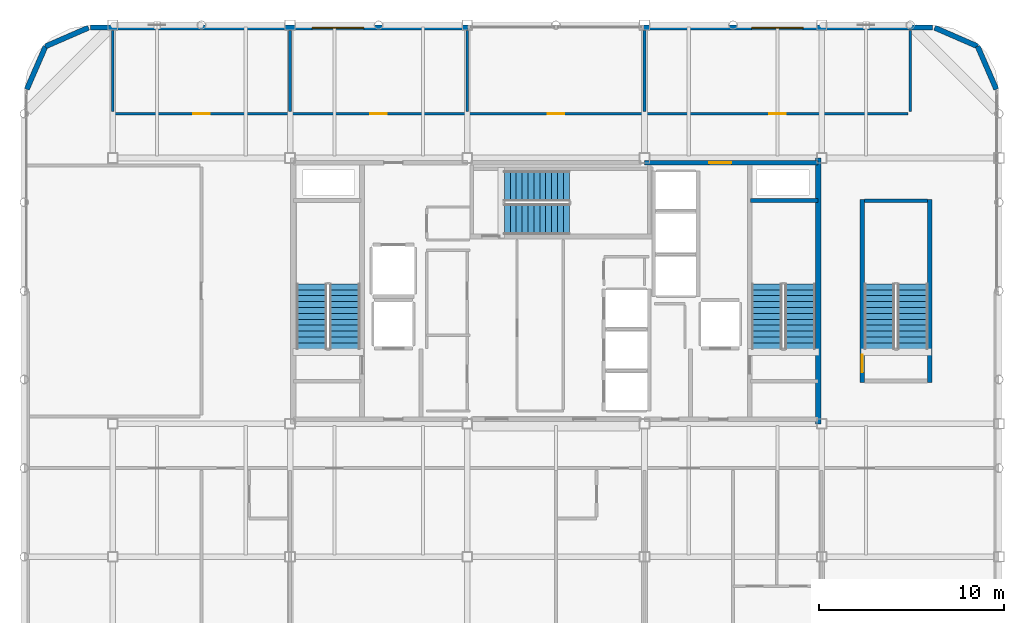
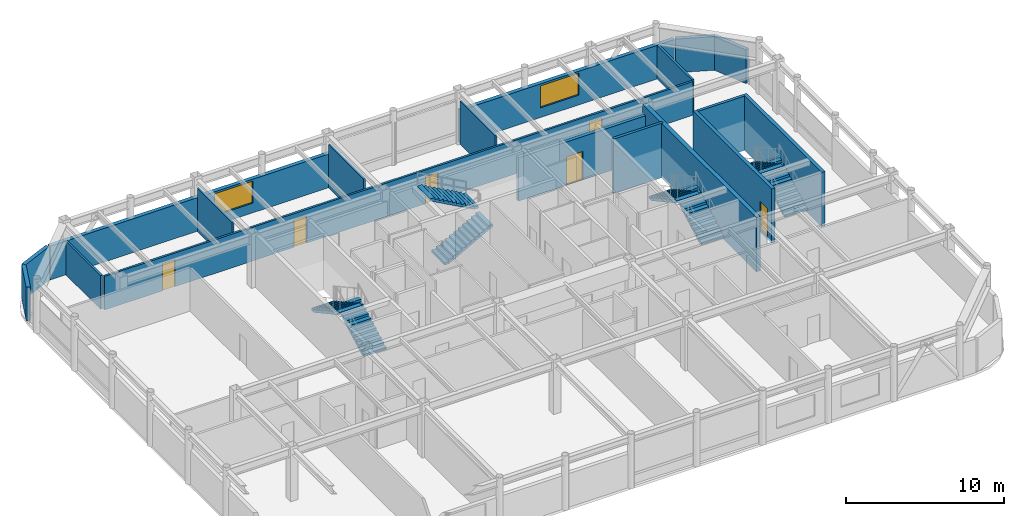
# One storey, part 19 of 21: 18 walls, 8 stair flights, 6 doors, 2 windows, 8 openings, 4 elements without a shape of their own.
"""IFC4 building model written with IfcOpenShell, lengths in metres."""

from ifc_helpers import new_model, si_unit, direction, frame, frame_2d, origin, place, context, subcontext, project, spatial, polyline, rectangle, outline, extrude, material, layer, layer_set, type_object, element, fill, aggregate, save


model = new_model("IFC4")

# Units and contexts
model_context = context("Model", 3, precision=1e-05, world=origin(), true_north=direction((0.0, 1.0)))
body_context = subcontext(model_context, "Body", "Model", "MODEL_VIEW")
ifc_project = project(units=[si_unit("LENGTHUNIT", "METRE"), si_unit("AREAUNIT", "SQUARE_METRE"), si_unit("VOLUMEUNIT", "CUBIC_METRE"), si_unit("PLANEANGLEUNIT", "RADIAN"), si_unit("MASSUNIT", "GRAM", prefix="KILO")], contexts=[model_context])

# Site, building, storey
site_placement = place(None, origin())
site = spatial("IfcSite", under=ifc_project, at=site_placement, CompositionType="ELEMENT")
building_placement = place(site_placement, origin())
building = spatial("IfcBuilding", under=site, at=building_placement, Name="Kallvorn Hotel Tower", CompositionType="ELEMENT")
storey_placement = place(building_placement, frame((0.0, 0.0, 286.39990234375)))
storey = spatial("IfcBuildingStorey", under=building, at=storey_placement, Name="L71", CompositionType="ELEMENT", Elevation=286.39990234375)

# Walls
ifc_material_1 = material(Name="Concrete C50/60", Category="concrete")
ifc_layer_1 = layer(ifc_material_1, 0.300048828125)
ifc_layer_set_1 = layer_set([ifc_layer_1], Name="WL_CORE_300")
wall_type_1 = type_object("IfcWallType", Name="WL_CORE_300", PredefinedType="SHEAR", material=ifc_layer_set_1)
wall_1_placement = place(storey_placement, frame((14.215087890625, -7.199951171875, -0.199951171875), z_axis=(0.0, 0.0, 1.0), x_axis=(0.0, 1.0, 0.0)))
element("IfcWall", 1, at=wall_1_placement, inside=storey, type_object=wall_type_1, Name="L71 Core East Shear Wall", PredefinedType="SHEAR", context=body_context, shape_type="SweptSolid", body=[
    extrude(rectangle(XDim=14.39990234375, YDim=0.300048828125, at=frame_2d((7.199951171875, 0.0))), origin(), (0.0, 0.0, 1.0), 4.199951171875),
])
ifc_material_2 = material(Name="Precast basalt-clad insulated concrete wall C40/50", Category="masonry")
ifc_layer_2 = layer(ifc_material_2, 0.280029296875)
ifc_layer_set_2 = layer_set([ifc_layer_2], Name="WL_EXT_LOGGIA_280")
wall_type_2 = type_object("IfcWallType", Name="WL_EXT_LOGGIA_280", PredefinedType="SOLIDWALL", material=ifc_layer_set_2)
for number, where, z_axis, x_axis, name in (
    (2, (23.85791015625, 10.9208984375, 0.0), (0.0, 0.0, 1.0), (-0.398747232384, 0.917060872934, 0.0), "L71 Rounded Corner Exterior Wall NE1"),
    (3, (22.8466796875, 13.24658203125, 0.0), (0.0, 0.0, 1.0), (-0.917076177656, 0.398712031894, 0.0), "L71 Rounded Corner Exterior Wall NE2"),
    (4, (-25.32080078125, 14.2578125, 0.0), (0.0, 0.0, 1.0), (-0.917060872934, -0.398747232384, 0.0), "L71 Rounded Corner Exterior Wall NW1"),
    (5, (-27.646484375, 13.24658203125, 0.0), (0.0, 0.0, 1.0), (-0.398828190223, -0.917025667407, 0.0), "L71 Rounded Corner Exterior Wall NW2"),
):
    element("IfcWall", number, at=place(storey_placement, frame(where, z_axis=z_axis, x_axis=x_axis)), inside=storey, type_object=wall_type_2, Name=name, PredefinedType="SOLIDWALL", context=body_context, shape_type="SweptSolid", body=[
        extrude(rectangle(XDim=2.5361328125, YDim=0.280029296875, at=frame_2d((1.26806640625, 0.0))), origin(), (0.0, 0.0, 1.0), 2.60009765625),
    ])

# Wall, opening, window
wall_2_placement = place(storey_placement, frame((-25.199951171875, 14.260009765625, 0.0), z_axis=(0.0, 0.0, 1.0), x_axis=(1.0, 0.0, 0.0)))
wall_2 = element("IfcWall", 6, at=wall_2_placement, inside=storey, type_object=wall_type_2, Name="L71 Exterior Envelope Wall EW-L71-NW", PredefinedType="SOLIDWALL", context=body_context, shape_type="SweptSolid", body=[
    extrude(rectangle(XDim=20.449951171875, YDim=0.280029296875, at=frame_2d((10.22509765625, 0.0))), origin(), (0.0, 0.0, 1.0), 2.60009765625),
])
opening_1_placement = place(wall_2_placement, frame((12.0, 0.0, 0.75)))
opening_1 = element("IfcOpeningElement", 7, at=opening_1_placement, cuts=wall_2, Name="Opening W08A", PredefinedType="OPENING", context=body_context, shape_type="SweptSolid", body=[
    extrude(rectangle(XDim=2.800048828125, YDim=1.699951171875, at=frame_2d((1.39990234375, 0.85009765625))), frame((0.0, 0.155029296875, 0.0), z_axis=(0.0, -1.0, 0.0), x_axis=(1.0, 0.0, 0.0)), (0.0, 0.0, 1.0), 0.31005859375),
])
ifc_material_3 = material(Name="Triple-glazed low-e acoustic solar-control dark glass", Category="glass")
window_type = type_object("IfcWindowType", Name="WN_SUM_2800x1700", PartitioningType="SINGLE_PANEL", PredefinedType="WINDOW", material=ifc_material_3)
window_1_placement = place(opening_1_placement, origin())
window_1 = element("IfcWindow", 8, at=window_1_placement, inside=storey, type_object=window_type, Name="L71 Guestroom Exterior Window 04", OverallHeight=1.699951171875, OverallWidth=2.800048828125, PartitioningType="SINGLE_PANEL", PredefinedType="WINDOW", context=body_context, shape_type="SweptSolid", body=[
    extrude(rectangle(XDim=2.800048828125, YDim=1.699951171875, at=frame_2d((1.39990234375, 0.85009765625))), frame((0.0, 0.030029296875, 0.0), z_axis=(0.0, -1.0, 0.0), x_axis=(1.0, 0.0, 0.0)), (0.0, 0.0, 1.0), 0.06005859375),
])
fill(opening_1, window_1)

wall_3_placement = place(storey_placement, frame((4.75, 14.260009765625, 0.0), z_axis=(0.0, 0.0, 1.0), x_axis=(1.0, 0.0, 0.0)))
wall_3 = element("IfcWall", 9, at=wall_3_placement, inside=storey, type_object=wall_type_2, Name="L71 Exterior Envelope Wall EW-L71-NE", PredefinedType="SOLIDWALL", context=body_context, shape_type="SweptSolid", body=[
    extrude(rectangle(XDim=15.64990234375, YDim=0.280029296875, at=frame_2d((7.824951171875, 0.0))), origin(), (0.0, 0.0, 1.0), 2.60009765625),
])
opening_2_placement = place(wall_3_placement, frame((5.85009765625, 0.0, 0.75)))
opening_2 = element("IfcOpeningElement", 10, at=opening_2_placement, cuts=wall_3, Name="Opening W08A", PredefinedType="OPENING", context=body_context, shape_type="SweptSolid", body=[
    extrude(rectangle(XDim=2.800048828125, YDim=1.699951171875, at=frame_2d((1.39990234375, 0.85009765625))), frame((0.0, 0.155029296875, 0.0), z_axis=(0.0, -1.0, 0.0), x_axis=(1.0, 0.0, 0.0)), (0.0, 0.0, 1.0), 0.31005859375),
])
window_2_placement = place(opening_2_placement, origin())
window_2 = element("IfcWindow", 11, at=window_2_placement, inside=storey, type_object=window_type, Name="L71 Guestroom Exterior Window 05", OverallHeight=1.699951171875, OverallWidth=2.800048828125, PartitioningType="SINGLE_PANEL", PredefinedType="WINDOW", context=body_context, shape_type="SweptSolid", body=[
    extrude(rectangle(XDim=2.800048828125, YDim=1.699951171875, at=frame_2d((1.39990234375, 0.85009765625))), frame((0.0, 0.030029296875, 0.0), z_axis=(0.0, -1.0, 0.0), x_axis=(1.0, 0.0, 0.0)), (0.0, 0.0, 1.0), 0.06005859375),
])
fill(opening_2, window_2)

# Walls
ifc_material_4 = material(Name="Concrete C40/50", Category="concrete")
ifc_layer_3 = layer(ifc_material_4, 0.199951171875)
ifc_layer_set_3 = layer_set([ifc_layer_3], Name="WL_HOIST_200")
wall_type_3 = type_object("IfcWallType", Name="WL_HOIST_200", PredefinedType="SOLIDWALL", material=ifc_layer_set_3)
wall_4_placement = place(storey_placement, frame((10.550048828125, 4.89990234375, -0.199951171875), z_axis=(0.0, 0.0, 1.0), x_axis=(1.0, 0.0, 0.0)))
element("IfcWall", 12, at=wall_4_placement, inside=storey, type_object=wall_type_3, Name="L71 Stair ST2 North Wall", PredefinedType="SOLIDWALL", context=body_context, shape_type="SweptSolid", body=[
    extrude(rectangle(XDim=3.64990234375, YDim=0.199951171875, at=frame_2d((1.824951171875, 0.0))), origin(), (0.0, 0.0, 1.0), 4.199951171875),
])
wall_5_placement = place(storey_placement, frame((16.72998046875, 4.8798828125, -0.199951171875), z_axis=(0.0, 0.0, 1.0), x_axis=(1.0, 0.0, 0.0)))
element("IfcWall", 13, at=wall_5_placement, inside=storey, type_object=wall_type_3, Name="L71 Summit Exit Stair ST4 North Wall", PredefinedType="SOLIDWALL", context=body_context, shape_type="SweptSolid", body=[
    extrude(rectangle(XDim=3.39990234375, YDim=0.199951171875, at=frame_2d((1.699951171875, 0.0))), origin(), (0.0, 0.0, 1.0), 4.199951171875),
])

# Wall, openings, doors
ifc_material_5 = material(Name="Fire-rated double-layer acoustic gypsum drywall EI 60")
ifc_layer_4 = layer(ifc_material_5, 0.14990234375)
ifc_layer_set_4 = layer_set([ifc_layer_4], Name="WL_PART_150")
wall_type_4 = type_object("IfcWallType", Name="WL_PART_150", PredefinedType="PARTITIONING", material=ifc_layer_set_4)
wall_6_placement = place(storey_placement, frame((-23.8798828125, 9.60009765625, 0.0), z_axis=(0.0, 0.0, 1.0), x_axis=(1.0, 0.0, 0.0)))
wall_6 = element("IfcWall", 14, at=wall_6_placement, inside=storey, type_object=wall_type_4, Name="L71 Summit Housekeeping and Linen Room Partition", PredefinedType="PARTITIONING", context=body_context, shape_type="SweptSolid", body=[
    extrude(rectangle(XDim=42.9599609375, YDim=0.14990234375, at=frame_2d((21.47998046875, 0.0))), origin(), (0.0, 0.0, 1.0), 2.60009765625),
])
opening_3_placement = place(wall_6_placement, frame((4.22998046875, 0.0, 0.0)))
opening_3 = element("IfcOpeningElement", 15, at=opening_3_placement, cuts=wall_6, Name="Opening SVD1", PredefinedType="OPENING", context=body_context, shape_type="SweptSolid", body=[
    extrude(rectangle(XDim=0.89990234375, YDim=2.10009765625, at=frame_2d((0.449951171875, 1.050048828125))), frame((0.0, 0.08984375, 0.0), z_axis=(0.0, -1.0, 0.0), x_axis=(1.0, 0.0, 0.0)), (0.0, 0.0, 1.0), 0.179931640625),
])
opening_4_placement = place(wall_6_placement, frame((13.830078125, 0.0, 0.0)))
opening_4 = element("IfcOpeningElement", 16, at=opening_4_placement, cuts=wall_6, Name="Opening SVD1", PredefinedType="OPENING", context=body_context, shape_type="SweptSolid", body=[
    extrude(rectangle(XDim=0.89990234375, YDim=2.10009765625, at=frame_2d((0.449951171875, 1.050048828125))), frame((0.0, 0.08984375, 0.0), z_axis=(0.0, -1.0, 0.0), x_axis=(1.0, 0.0, 0.0)), (0.0, 0.0, 1.0), 0.179931640625),
])
opening_5_placement = place(wall_6_placement, frame((23.429931640625, 0.0, 0.0)))
opening_5 = element("IfcOpeningElement", 17, at=opening_5_placement, cuts=wall_6, Name="Opening SVD1", PredefinedType="OPENING", context=body_context, shape_type="SweptSolid", body=[
    extrude(rectangle(XDim=0.89990234375, YDim=2.10009765625, at=frame_2d((0.449951171875, 1.050048828125))), frame((0.0, 0.08984375, 0.0), z_axis=(0.0, -1.0, 0.0), x_axis=(1.0, 0.0, 0.0)), (0.0, 0.0, 1.0), 0.179931640625),
])
opening_6_placement = place(wall_6_placement, frame((35.429931640625, 0.0, 0.0)))
opening_6 = element("IfcOpeningElement", 18, at=opening_6_placement, cuts=wall_6, Name="Opening SVD1", PredefinedType="OPENING", context=body_context, shape_type="SweptSolid", body=[
    extrude(rectangle(XDim=0.89990234375, YDim=2.10009765625, at=frame_2d((0.449951171875, 1.050048828125))), frame((0.0, 0.08984375, 0.0), z_axis=(0.0, -1.0, 0.0), x_axis=(1.0, 0.0, 0.0)), (0.0, 0.0, 1.0), 0.179931640625),
])
ifc_material_6 = material(Name="Galvanised painted steel fire-rated door assembly", Category="steel")
door_type_1 = type_object("IfcDoorType", Name="DR_SERV_900x2100", OperationType="NOTDEFINED", PredefinedType="DOOR", material=ifc_material_6)
door_1_placement = place(opening_3_placement, origin())
door_1 = element("IfcDoor", 19, at=door_1_placement, inside=storey, type_object=door_type_1, Name="L71 Summit Housekeeping and Linen Room Door", OperationType="SINGLE_SWING_RIGHT", OverallHeight=2.10009765625, OverallWidth=0.89990234375, PredefinedType="DOOR", context=body_context, shape_type="SweptSolid", body=[
    extrude(rectangle(XDim=0.89990234375, YDim=2.10009765625, at=frame_2d((0.449951171875, 1.050048828125))), frame((0.0, 0.02490234375, 0.0), z_axis=(0.0, -1.0, 0.0), x_axis=(1.0, 0.0, 0.0)), (0.0, 0.0, 1.0), 0.050048828125),
])
fill(opening_3, door_1)
door_2_placement = place(opening_4_placement, origin())
door_2 = element("IfcDoor", 20, at=door_2_placement, inside=storey, type_object=door_type_1, Name="L71 Summit Cabinet Boardroom Door", OperationType="SINGLE_SWING_LEFT", OverallHeight=2.10009765625, OverallWidth=0.89990234375, PredefinedType="DOOR", context=body_context, shape_type="SweptSolid", body=[
    extrude(rectangle(XDim=0.89990234375, YDim=2.10009765625, at=frame_2d((0.449951171875, 1.050048828125))), frame((0.0, 0.02490234375, 0.0), z_axis=(0.0, -1.0, 0.0), x_axis=(1.0, 0.0, 0.0)), (0.0, 0.0, 1.0), 0.050048828125),
])
fill(opening_4, door_2)
door_3_placement = place(opening_5_placement, origin())
door_3 = element("IfcDoor", 21, at=door_3_placement, inside=storey, type_object=door_type_1, Name="L71 Summit Executive Co-Working Office Door", OperationType="SINGLE_SWING_LEFT", OverallHeight=2.10009765625, OverallWidth=0.89990234375, PredefinedType="DOOR", context=body_context, shape_type="SweptSolid", body=[
    extrude(rectangle(XDim=0.89990234375, YDim=2.10009765625, at=frame_2d((0.449951171875, 1.050048828125))), frame((0.0, 0.02490234375, 0.0), z_axis=(0.0, -1.0, 0.0), x_axis=(1.0, 0.0, 0.0)), (0.0, 0.0, 1.0), 0.050048828125),
])
fill(opening_5, door_3)
door_4_placement = place(opening_6_placement, origin())
door_4 = element("IfcDoor", 22, at=door_4_placement, inside=storey, type_object=door_type_1, Name="L71 Summit Collectors Art Gallery Door", OperationType="SINGLE_SWING_LEFT", OverallHeight=2.10009765625, OverallWidth=0.89990234375, PredefinedType="DOOR", context=body_context, shape_type="SweptSolid", body=[
    extrude(rectangle(XDim=0.89990234375, YDim=2.10009765625, at=frame_2d((0.449951171875, 1.050048828125))), frame((0.0, 0.02490234375, 0.0), z_axis=(0.0, -1.0, 0.0), x_axis=(1.0, 0.0, 0.0)), (0.0, 0.0, 1.0), 0.050048828125),
])
fill(opening_6, door_4)

# Walls
wall_7_placement = place(storey_placement, frame((-24.0, 9.719970703125, 0.0), z_axis=(0.0, 0.0, 1.0), x_axis=(0.0, 1.0, 0.0)))
element("IfcWall", 23, at=wall_7_placement, inside=storey, type_object=wall_type_4, Name="L71 Summit Housekeeping and Linen Room Partition", PredefinedType="PARTITIONING", context=body_context, shape_type="SweptSolid", body=[
    extrude(rectangle(XDim=4.39013671875, YDim=0.14990234375, at=frame_2d((2.195068359375, 0.0))), origin(), (0.0, 0.0, 1.0), 2.60009765625),
])
for number, where, z_axis, x_axis, name in (
    (24, (-14.39990234375, 9.719970703125, 0.0), (0.0, 0.0, 1.0), (0.0, 1.0, 0.0), "L71 Summit Cabinet Boardroom Partition"),
    (25, (-4.800048828125, 9.719970703125, 0.0), (0.0, 0.0, 1.0), (0.0, 1.0, 0.0), "L71 Summit Cabinet Boardroom Partition"),
    (26, (4.800048828125, 9.719970703125, 0.0), (0.0, 0.0, 1.0), (0.0, 1.0, 0.0), "L71 Summit Collectors Art Gallery Partition"),
):
    element("IfcWall", number, at=place(storey_placement, frame(where, z_axis=z_axis, x_axis=x_axis)), inside=storey, type_object=wall_type_4, Name=name, PredefinedType="PARTITIONING", context=body_context, shape_type="SweptSolid", body=[
        extrude(rectangle(XDim=4.39013671875, YDim=0.14990234375, at=frame_2d((2.195068359375, 0.0))), origin(), (0.0, 0.0, 1.0), 3.35009765625),
    ])
wall_8_placement = place(storey_placement, frame((19.199951171875, 9.719970703125, 0.0), z_axis=(0.0, 0.0, 1.0), x_axis=(0.0, 1.0, 0.0)))
element("IfcWall", 27, at=wall_8_placement, inside=storey, type_object=wall_type_4, Name="L71 Summit Collectors Art Gallery Partition", PredefinedType="PARTITIONING", context=body_context, shape_type="SweptSolid", body=[
    extrude(rectangle(XDim=4.39013671875, YDim=0.14990234375, at=frame_2d((2.195068359375, 0.0))), origin(), (0.0, 0.0, 1.0), 2.60009765625),
])

# Wall, opening, door
ifc_material_7 = material(Name="Concrete C40/50", Category="concrete")
ifc_layer_5 = layer(ifc_material_7, 0.25)
ifc_layer_set_5 = layer_set([ifc_layer_5], Name="WL_SHAFT_250")
wall_type_5 = type_object("IfcWallType", Name="WL_SHAFT_250", PredefinedType="SOLIDWALL", material=ifc_layer_set_5)
wall_9_placement = place(storey_placement, frame((4.800048828125, 6.949951171875, 0.0), z_axis=(0.0, 0.0, 1.0), x_axis=(1.0, 0.0, 0.0)))
wall_9 = element("IfcWall", 28, at=wall_9_placement, inside=storey, type_object=wall_type_5, Name="L71 Core North-East Wall", PredefinedType="SOLIDWALL", context=body_context, shape_type="SweptSolid", body=[
    extrude(rectangle(XDim=9.39990234375, YDim=0.25, at=frame_2d((4.699951171875, 0.0))), origin(), (0.0, 0.0, 1.0), 3.35009765625),
])
opening_7_placement = place(wall_9_placement, frame((3.5, 0.0, 0.0)))
opening_7 = element("IfcOpeningElement", 29, at=opening_7_placement, cuts=wall_9, Name="Opening FD2", PredefinedType="OPENING", context=body_context, shape_type="SweptSolid", body=[
    extrude(rectangle(XDim=1.199951171875, YDim=2.199951171875, at=frame_2d((0.60009765625, 1.10009765625))), frame((0.0, 0.139892578125, 0.0), z_axis=(0.0, -1.0, 0.0), x_axis=(1.0, 0.0, 0.0)), (0.0, 0.0, 1.0), 0.280029296875),
])
ifc_material_8 = material(Name="Galvanised painted steel fire-rated door assembly", Category="steel")
door_type_2 = type_object("IfcDoorType", Name="DR_LOBBY_1200x2200", OperationType="DOUBLE_DOOR_SINGLE_SWING", PredefinedType="DOOR", material=ifc_material_8)
door_5_placement = place(opening_7_placement, origin())
door_5 = element("IfcDoor", 30, at=door_5_placement, inside=storey, type_object=door_type_2, Name="L71 Observatory Shuttle Lobby Door", OperationType="DOUBLE_DOOR_SINGLE_SWING", OverallHeight=2.199951171875, OverallWidth=1.199951171875, PredefinedType="DOOR", context=body_context, shape_type="SweptSolid", body=[
    extrude(rectangle(XDim=1.199951171875, YDim=2.199951171875, at=frame_2d((0.60009765625, 1.10009765625))), frame((0.0, 0.02490234375, 0.0), z_axis=(0.0, -1.0, 0.0), x_axis=(1.0, 0.0, 0.0)), (0.0, 0.0, 1.0), 0.050048828125),
])
fill(opening_7, door_5)

# Wall
wall_10_placement = place(storey_placement, frame((20.260009765625, -4.9599609375, -0.199951171875), z_axis=(0.0, 0.0, 1.0), x_axis=(0.0, 1.0, 0.0)))
element("IfcWall", 31, at=wall_10_placement, inside=storey, type_object=wall_type_5, Name="L71 Summit Exit Stair ST4 East Wall", PredefinedType="SOLIDWALL", context=body_context, shape_type="SweptSolid", body=[
    extrude(rectangle(XDim=9.919921875, YDim=0.25, at=frame_2d((4.9599609375, 0.0))), origin(), (0.0, 0.0, 1.0), 4.199951171875),
])

# Wall, opening, door
wall_11_placement = place(storey_placement, frame((16.60009765625, -4.9599609375, -0.199951171875), z_axis=(0.0, 0.0, 1.0), x_axis=(0.0, 1.0, 0.0)))
wall_11 = element("IfcWall", 32, at=wall_11_placement, inside=storey, type_object=wall_type_5, Name="L71 Summit Exit Stair ST4 West Wall", PredefinedType="SOLIDWALL", context=body_context, shape_type="SweptSolid", body=[
    extrude(rectangle(XDim=9.919921875, YDim=0.25, at=frame_2d((4.9599609375, 0.0))), origin(), (0.0, 0.0, 1.0), 4.199951171875),
])
opening_8_placement = place(wall_11_placement, frame((0.550048828125, 0.0, 0.199951171875)))
opening_8 = element("IfcOpeningElement", 33, at=opening_8_placement, cuts=wall_11, Name="Opening SD1", PredefinedType="OPENING", context=body_context, shape_type="SweptSolid", body=[
    extrude(rectangle(XDim=0.949951171875, YDim=2.14990234375, at=frame_2d((0.47509765625, 1.074951171875))), frame((0.0, 0.139892578125, 0.0), z_axis=(0.0, -1.0, 0.0), x_axis=(1.0, 0.0, 0.0)), (0.0, 0.0, 1.0), 0.280029296875),
])
ifc_material_9 = material(Name="Galvanised painted steel fire-rated door assembly", Category="steel")
door_type_3 = type_object("IfcDoorType", Name="DR_STAIR_950x2150", OperationType="NOTDEFINED", PredefinedType="DOOR", material=ifc_material_9)
door_6_placement = place(opening_8_placement, origin())
door_6 = element("IfcDoor", 34, at=door_6_placement, inside=storey, type_object=door_type_3, Name="L71 Summit Exit Stair ST4 Fire Door", OperationType="SINGLE_SWING_LEFT", OverallHeight=2.14990234375, OverallWidth=0.949951171875, PredefinedType="DOOR", context=body_context, shape_type="SweptSolid", body=[
    extrude(rectangle(XDim=0.949951171875, YDim=2.14990234375, at=frame_2d((0.47509765625, 1.074951171875))), frame((0.0, 0.02490234375, 0.0), z_axis=(0.0, -1.0, 0.0), x_axis=(1.0, 0.0, 0.0)), (0.0, 0.0, 1.0), 0.050048828125),
])
fill(opening_8, door_6)

# Stair, stair flights
ifc_material_10 = material(Name="Precast concrete C40/50", Category="concrete")
stair_type = type_object("IfcStairType", Name="STR_CORE_DOGLEG", PredefinedType="HALF_TURN_STAIR", material=ifc_material_10)
stair_1_placement = place(storey_placement, origin())
stair_1 = element("IfcStair", 35, at=stair_1_placement, inside=storey, type_object=stair_type, Name="L71 Exit stair ST1", PredefinedType="HALF_TURN_STAIR")
ifc_material_11 = material(Name="Precast concrete C40/50", Category="concrete")
stair_flight_type = type_object("IfcStairFlightType", Name="FLT_CORE_1660", PredefinedType="STRAIGHT", material=ifc_material_11)
stair_flight_1_placement = place(storey_placement, frame((-11.429931640625, -3.139892578125, 0.0), z_axis=(0.0, 0.0, 1.0), x_axis=(0.0, 1.0, 0.0)))
stair_flight_1 = element("IfcStairFlight", 36, at=stair_flight_1_placement, type_object=stair_flight_type, Name="ST1 flight 1", NumberOfRisers=12, NumberOfTreads=11, PredefinedType="STRAIGHT", RiserHeight=0.175, TreadLength=0.32, context=body_context, shape_type="SweptSolid", body=[
    extrude(outline(polyline([(0.0, 0.0), (0.0, 0.175048828125), (0.320068359375, 0.175048828125), (0.320068359375, 0.35009765625), (0.639892578125, 0.35009765625), (0.639892578125, 0.52490234375), (0.9599609375, 0.52490234375), (0.9599609375, 0.699951171875), (1.280029296875, 0.699951171875), (1.280029296875, 0.875), (1.60009765625, 0.875), (1.60009765625, 1.050048828125), (1.919921875, 1.050048828125), (1.919921875, 1.22509765625), (2.239990234375, 1.22509765625), (2.239990234375, 1.39990234375), (2.56005859375, 1.39990234375), (2.56005859375, 1.574951171875), (2.8798828125, 1.574951171875), (2.8798828125, 1.75), (3.199951171875, 1.75), (3.199951171875, 1.925048828125), (3.52001953125, 1.925048828125), (3.52001953125, 2.10009765625), (3.52001953125, 1.754150390625), (0.3125, 0.0), (0.0, 0.0)])), frame((0.0, 0.830078125, 0.0), z_axis=(0.0, -1.0, 0.0), x_axis=(1.0, 0.0, 0.0)), (0.0, 0.0, 1.0), 1.659912109375),
])
stair_flight_2_placement = place(storey_placement, frame((-13.22998046875, 0.3798828125, 2.10009765625), z_axis=(0.0, 0.0, 1.0), x_axis=(0.0, -1.0, 0.0)))
stair_flight_2 = element("IfcStairFlight", 37, at=stair_flight_2_placement, type_object=stair_flight_type, Name="ST1 flight 2", NumberOfRisers=12, NumberOfTreads=11, PredefinedType="STRAIGHT", RiserHeight=0.175, TreadLength=0.32, context=body_context, shape_type="SweptSolid", body=[
    extrude(outline(polyline([(0.0, 0.0), (0.0, 0.175048828125), (0.320068359375, 0.175048828125), (0.320068359375, 0.35009765625), (0.639892578125, 0.35009765625), (0.639892578125, 0.52490234375), (0.9599609375, 0.52490234375), (0.9599609375, 0.699951171875), (1.280029296875, 0.699951171875), (1.280029296875, 0.875), (1.60009765625, 0.875), (1.60009765625, 1.050048828125), (1.919921875, 1.050048828125), (1.919921875, 1.22509765625), (2.239990234375, 1.22509765625), (2.239990234375, 1.39990234375), (2.56005859375, 1.39990234375), (2.56005859375, 1.574951171875), (2.8798828125, 1.574951171875), (2.8798828125, 1.75), (3.199951171875, 1.75), (3.199951171875, 1.925048828125), (3.52001953125, 1.925048828125), (3.52001953125, 2.10009765625), (3.52001953125, 1.754150390625), (0.3125, 0.0), (0.0, 0.0)])), frame((0.0, 0.830078125, 0.0), z_axis=(0.0, -1.0, 0.0), x_axis=(1.0, 0.0, 0.0)), (0.0, 0.0, 1.0), 1.659912109375),
])
aggregate(stair_1, [stair_flight_1, stair_flight_2])

stair_2_placement = place(storey_placement, origin())
stair_2 = element("IfcStair", 38, at=stair_2_placement, inside=storey, type_object=stair_type, Name="L71 Exit stair ST2", PredefinedType="HALF_TURN_STAIR")
stair_flight_3_placement = place(storey_placement, frame((13.22998046875, -3.139892578125, 0.0), z_axis=(0.0, 0.0, 1.0), x_axis=(0.0, 1.0, 0.0)))
stair_flight_3 = element("IfcStairFlight", 39, at=stair_flight_3_placement, type_object=stair_flight_type, Name="ST2 flight 1", NumberOfRisers=12, NumberOfTreads=11, PredefinedType="STRAIGHT", RiserHeight=0.175, TreadLength=0.32, context=body_context, shape_type="SweptSolid", body=[
    extrude(outline(polyline([(0.0, 0.0), (0.0, 0.175048828125), (0.320068359375, 0.175048828125), (0.320068359375, 0.35009765625), (0.639892578125, 0.35009765625), (0.639892578125, 0.52490234375), (0.9599609375, 0.52490234375), (0.9599609375, 0.699951171875), (1.280029296875, 0.699951171875), (1.280029296875, 0.875), (1.60009765625, 0.875), (1.60009765625, 1.050048828125), (1.919921875, 1.050048828125), (1.919921875, 1.22509765625), (2.239990234375, 1.22509765625), (2.239990234375, 1.39990234375), (2.56005859375, 1.39990234375), (2.56005859375, 1.574951171875), (2.8798828125, 1.574951171875), (2.8798828125, 1.75), (3.199951171875, 1.75), (3.199951171875, 1.925048828125), (3.52001953125, 1.925048828125), (3.52001953125, 2.10009765625), (3.52001953125, 1.754150390625), (0.3125, 0.0), (0.0, 0.0)])), frame((0.0, 0.830078125, 0.0), z_axis=(0.0, -1.0, 0.0), x_axis=(1.0, 0.0, 0.0)), (0.0, 0.0, 1.0), 1.659912109375),
])
stair_flight_4_placement = place(storey_placement, frame((11.429931640625, 0.3798828125, 2.10009765625), z_axis=(0.0, 0.0, 1.0), x_axis=(0.0, -1.0, 0.0)))
stair_flight_4 = element("IfcStairFlight", 40, at=stair_flight_4_placement, type_object=stair_flight_type, Name="ST2 flight 2", NumberOfRisers=12, NumberOfTreads=11, PredefinedType="STRAIGHT", RiserHeight=0.175, TreadLength=0.32, context=body_context, shape_type="SweptSolid", body=[
    extrude(outline(polyline([(0.0, 0.0), (0.0, 0.175048828125), (0.320068359375, 0.175048828125), (0.320068359375, 0.35009765625), (0.639892578125, 0.35009765625), (0.639892578125, 0.52490234375), (0.9599609375, 0.52490234375), (0.9599609375, 0.699951171875), (1.280029296875, 0.699951171875), (1.280029296875, 0.875), (1.60009765625, 0.875), (1.60009765625, 1.050048828125), (1.919921875, 1.050048828125), (1.919921875, 1.22509765625), (2.239990234375, 1.22509765625), (2.239990234375, 1.39990234375), (2.56005859375, 1.39990234375), (2.56005859375, 1.574951171875), (2.8798828125, 1.574951171875), (2.8798828125, 1.75), (3.199951171875, 1.75), (3.199951171875, 1.925048828125), (3.52001953125, 1.925048828125), (3.52001953125, 2.10009765625), (3.52001953125, 1.754150390625), (0.3125, 0.0), (0.0, 0.0)])), frame((0.0, 0.830078125, 0.0), z_axis=(0.0, -1.0, 0.0), x_axis=(1.0, 0.0, 0.0)), (0.0, 0.0, 1.0), 1.659912109375),
])
aggregate(stair_2, [stair_flight_3, stair_flight_4])

stair_3_placement = place(storey_placement, origin())
stair_3 = element("IfcStair", 41, at=stair_3_placement, inside=storey, type_object=stair_type, Name="L71 Exit stair ST3", PredefinedType="HALF_TURN_STAIR")
stair_flight_5_placement = place(storey_placement, frame((-2.7900390625, 3.8798828125, 0.0), z_axis=(0.0, 0.0, 1.0), x_axis=(1.0, 0.0, 0.0)))
stair_flight_5 = element("IfcStairFlight", 42, at=stair_flight_5_placement, type_object=stair_flight_type, Name="ST3 flight 1", NumberOfRisers=12, NumberOfTreads=11, PredefinedType="STRAIGHT", RiserHeight=0.175, TreadLength=0.32, context=body_context, shape_type="SweptSolid", body=[
    extrude(outline(polyline([(0.0, 0.0), (0.0, 0.175048828125), (0.320068359375, 0.175048828125), (0.320068359375, 0.35009765625), (0.639892578125, 0.35009765625), (0.639892578125, 0.52490234375), (0.9599609375, 0.52490234375), (0.9599609375, 0.699951171875), (1.280029296875, 0.699951171875), (1.280029296875, 0.875), (1.60009765625, 0.875), (1.60009765625, 1.050048828125), (1.919921875, 1.050048828125), (1.919921875, 1.22509765625), (2.239990234375, 1.22509765625), (2.239990234375, 1.39990234375), (2.56005859375, 1.39990234375), (2.56005859375, 1.574951171875), (2.8798828125, 1.574951171875), (2.8798828125, 1.75), (3.199951171875, 1.75), (3.199951171875, 1.925048828125), (3.52001953125, 1.925048828125), (3.52001953125, 2.10009765625), (3.52001953125, 1.754150390625), (0.3125, 0.0), (0.0, 0.0)])), frame((0.0, 0.830078125, 0.0), z_axis=(0.0, -1.0, 0.0), x_axis=(1.0, 0.0, 0.0)), (0.0, 0.0, 1.0), 1.659912109375),
])
stair_flight_6_placement = place(storey_placement, frame((0.72998046875, 5.679931640625, 2.10009765625), z_axis=(0.0, 0.0, 1.0), x_axis=(-1.0, 0.0, 0.0)))
stair_flight_6 = element("IfcStairFlight", 43, at=stair_flight_6_placement, type_object=stair_flight_type, Name="ST3 flight 2", NumberOfRisers=12, NumberOfTreads=11, PredefinedType="STRAIGHT", RiserHeight=0.175, TreadLength=0.32, context=body_context, shape_type="SweptSolid", body=[
    extrude(outline(polyline([(0.0, 0.0), (0.0, 0.175048828125), (0.320068359375, 0.175048828125), (0.320068359375, 0.35009765625), (0.639892578125, 0.35009765625), (0.639892578125, 0.52490234375), (0.9599609375, 0.52490234375), (0.9599609375, 0.699951171875), (1.280029296875, 0.699951171875), (1.280029296875, 0.875), (1.60009765625, 0.875), (1.60009765625, 1.050048828125), (1.919921875, 1.050048828125), (1.919921875, 1.22509765625), (2.239990234375, 1.22509765625), (2.239990234375, 1.39990234375), (2.56005859375, 1.39990234375), (2.56005859375, 1.574951171875), (2.8798828125, 1.574951171875), (2.8798828125, 1.75), (3.199951171875, 1.75), (3.199951171875, 1.925048828125), (3.52001953125, 1.925048828125), (3.52001953125, 2.10009765625), (3.52001953125, 1.754150390625), (0.3125, 0.0), (0.0, 0.0)])), frame((0.0, 0.830078125, 0.0), z_axis=(0.0, -1.0, 0.0), x_axis=(1.0, 0.0, 0.0)), (0.0, 0.0, 1.0), 1.659912109375),
])
aggregate(stair_3, [stair_flight_5, stair_flight_6])

stair_4_placement = place(storey_placement, origin())
stair_4 = element("IfcStair", 44, at=stair_4_placement, inside=storey, type_object=stair_type, Name="L71 Exit stair ST4", PredefinedType="HALF_TURN_STAIR")
stair_flight_7_placement = place(storey_placement, frame((19.330078125, -3.139892578125, 0.0), z_axis=(0.0, 0.0, 1.0), x_axis=(0.0, 1.0, 0.0)))
stair_flight_7 = element("IfcStairFlight", 45, at=stair_flight_7_placement, type_object=stair_flight_type, Name="ST4 flight 1", NumberOfRisers=12, NumberOfTreads=11, PredefinedType="STRAIGHT", RiserHeight=0.175, TreadLength=0.32, context=body_context, shape_type="SweptSolid", body=[
    extrude(outline(polyline([(0.0, 0.0), (0.0, 0.175048828125), (0.320068359375, 0.175048828125), (0.320068359375, 0.35009765625), (0.639892578125, 0.35009765625), (0.639892578125, 0.52490234375), (0.9599609375, 0.52490234375), (0.9599609375, 0.699951171875), (1.280029296875, 0.699951171875), (1.280029296875, 0.875), (1.60009765625, 0.875), (1.60009765625, 1.050048828125), (1.919921875, 1.050048828125), (1.919921875, 1.22509765625), (2.239990234375, 1.22509765625), (2.239990234375, 1.39990234375), (2.56005859375, 1.39990234375), (2.56005859375, 1.574951171875), (2.8798828125, 1.574951171875), (2.8798828125, 1.75), (3.199951171875, 1.75), (3.199951171875, 1.925048828125), (3.52001953125, 1.925048828125), (3.52001953125, 2.10009765625), (3.52001953125, 1.754150390625), (0.3125, 0.0), (0.0, 0.0)])), frame((0.0, 0.830078125, 0.0), z_axis=(0.0, -1.0, 0.0), x_axis=(1.0, 0.0, 0.0)), (0.0, 0.0, 1.0), 1.659912109375),
])
stair_flight_8_placement = place(storey_placement, frame((17.530029296875, 0.3798828125, 2.10009765625), z_axis=(0.0, 0.0, 1.0), x_axis=(0.0, -1.0, 0.0)))
stair_flight_8 = element("IfcStairFlight", 46, at=stair_flight_8_placement, type_object=stair_flight_type, Name="ST4 flight 2", NumberOfRisers=12, NumberOfTreads=11, PredefinedType="STRAIGHT", RiserHeight=0.175, TreadLength=0.32, context=body_context, shape_type="SweptSolid", body=[
    extrude(outline(polyline([(0.0, 0.0), (0.0, 0.175048828125), (0.320068359375, 0.175048828125), (0.320068359375, 0.35009765625), (0.639892578125, 0.35009765625), (0.639892578125, 0.52490234375), (0.9599609375, 0.52490234375), (0.9599609375, 0.699951171875), (1.280029296875, 0.699951171875), (1.280029296875, 0.875), (1.60009765625, 0.875), (1.60009765625, 1.050048828125), (1.919921875, 1.050048828125), (1.919921875, 1.22509765625), (2.239990234375, 1.22509765625), (2.239990234375, 1.39990234375), (2.56005859375, 1.39990234375), (2.56005859375, 1.574951171875), (2.8798828125, 1.574951171875), (2.8798828125, 1.75), (3.199951171875, 1.75), (3.199951171875, 1.925048828125), (3.52001953125, 1.925048828125), (3.52001953125, 2.10009765625), (3.52001953125, 1.754150390625), (0.3125, 0.0), (0.0, 0.0)])), frame((0.0, 0.830078125, 0.0), z_axis=(0.0, -1.0, 0.0), x_axis=(1.0, 0.0, 0.0)), (0.0, 0.0, 1.0), 1.659912109375),
])
aggregate(stair_4, [stair_flight_7, stair_flight_8])

save(model, "model.ifc")
